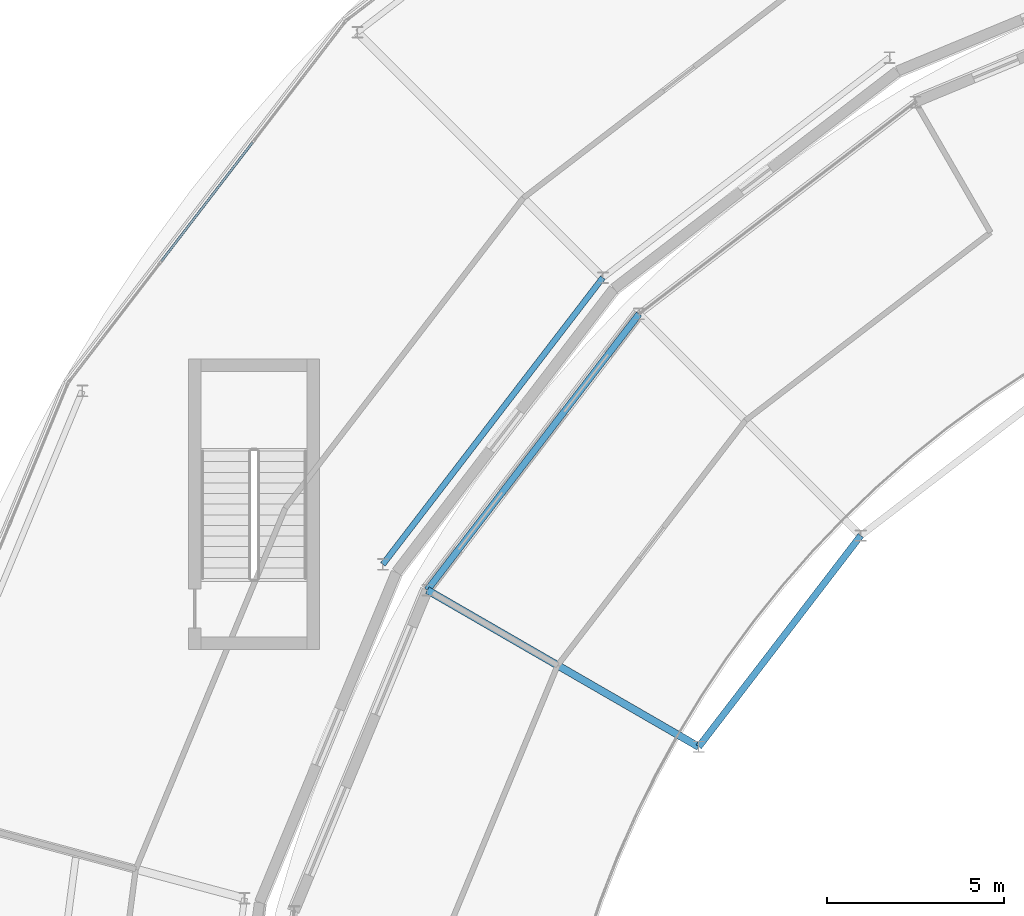
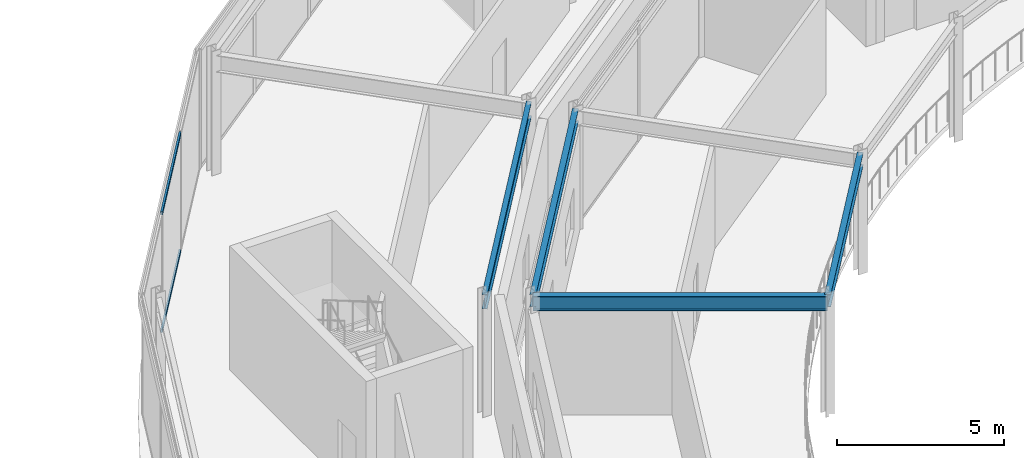
# One storey, part 52 of 133: 4 beams, 2 members, 1 element without a shape of its own.
"""IFC4 building model written with IfcOpenShell, lengths in metres."""

from ifc_helpers import new_model, si_unit, direction, frame, origin, origin_2d, place, context, subcontext, project, spatial, hollow_rectangle, i_section, extrude, material, material_profile, profile_set, type_object, element, aggregate, save


model = new_model("IFC4")

# Units and contexts
model_context = context("Model", 3, precision=1e-05, world=origin(), true_north=direction((0.0, 1.0)))
body_context = subcontext(model_context, "Body", "Model", "MODEL_VIEW")
ifc_project = project(units=[si_unit("LENGTHUNIT", "METRE"), si_unit("AREAUNIT", "SQUARE_METRE"), si_unit("VOLUMEUNIT", "CUBIC_METRE"), si_unit("PLANEANGLEUNIT", "RADIAN"), si_unit("MASSUNIT", "GRAM", prefix="KILO")], contexts=[model_context])

# Site, building, storey
site_placement = place(None, origin())
site = spatial("IfcSite", under=ifc_project, at=site_placement, CompositionType="ELEMENT")
building_placement = place(site_placement, origin())
building = spatial("IfcBuilding", under=site, at=building_placement, Name="Almandine Court Research Institute", CompositionType="ELEMENT")
storey_placement = place(building_placement, frame((0.0, 0.0, 9.800048828125)))
storey = spatial("IfcBuildingStorey", under=building, at=storey_placement, Name="L02", CompositionType="ELEMENT", Elevation=9.800048828125)

# Beams
ifc_material_1 = material(Name="Steel ASTM A992 Grade 50", Category="steel")
ifc_material_profile_1 = material_profile(ifc_material_1, i_section(OverallWidth=0.18994140625, OverallDepth=0.45703125, WebThickness=0.009033203125, FlangeThickness=0.014892578125, at=origin_2d()), Name="W460x74")
ifc_profile_set_1 = profile_set([ifc_material_profile_1], Name="Steel ASTM A992 Grade 50")
beam_type_1 = type_object("IfcBeamType", Name="Beam-B-01", PredefinedType="BEAM", material=ifc_profile_set_1)
beam_1_placement = place(storey_placement, frame((60.376953125, 82.623046875, 4.140869140625), z_axis=(-0.608711534396, -0.793391623282, 0.0), x_axis=(0.793391623282, -0.608711534396, 0.0)))
element("IfcBeam", 1, at=beam_1_placement, inside=storey, type_object=beam_type_1, Name="L02 Atrium Outer Ring Beam", PredefinedType="BEAM", context=body_context, shape_type="SweptSolid", body=[
    extrude(i_section(OverallWidth=0.18994140625, OverallDepth=0.45703125, WebThickness=0.009033203125, FlangeThickness=0.014892578125, at=origin_2d()), origin(), (0.0, 0.0, 1.0), 9.828857421875),
])
beam_2_placement = place(storey_placement, frame((66.635009765625, 76.364990234375, 4.140869140625), z_axis=(-0.608738941187, -0.793370595297, 0.0), x_axis=(0.793370595297, -0.608738941187, 0.0)))
element("IfcBeam", 2, at=beam_2_placement, inside=storey, type_object=beam_type_1, Name="L02 Atrium Gallery Edge Beam", PredefinedType="BEAM", context=body_context, shape_type="SweptSolid", body=[
    extrude(i_section(OverallWidth=0.18994140625, OverallDepth=0.45703125, WebThickness=0.009033203125, FlangeThickness=0.014892578125, at=origin_2d()), origin(), (0.0, 0.0, 1.0), 7.5185546875),
])
ifc_material_profile_2 = material_profile(ifc_material_1, i_section(OverallWidth=0.2109375, OverallDepth=0.5390625, WebThickness=0.011962890625, FlangeThickness=0.01904296875, at=origin_2d()), Name="W530x109")
ifc_profile_set_2 = profile_set([ifc_material_profile_2], Name="Steel ASTM A992 Grade 50")
beam_type_2 = type_object("IfcBeamType", Name="Beam-G-04", PredefinedType="BEAM", material=ifc_profile_set_2)
beam_3_placement = place(storey_placement, frame((62.05810546875, 70.39990234375, 4.099853515625), z_axis=(-0.866015604063, 0.50001697323, 0.0), x_axis=(-0.50001697323, -0.866015604063, 0.0)))
element("IfcBeam", 3, at=beam_3_placement, inside=storey, type_object=beam_type_2, Name="L02 Atrium Gallery Radial Girder", PredefinedType="BEAM", context=body_context, shape_type="SweptSolid", body=[
    extrude(i_section(OverallWidth=0.2109375, OverallDepth=0.5390625, WebThickness=0.011962890625, FlangeThickness=0.01904296875, at=origin_2d()), origin(), (0.0, 0.0, 1.0), 8.849853515625),
])
ifc_material_profile_3 = material_profile(ifc_material_1, i_section(OverallWidth=0.166015625, OverallDepth=0.534912109375, WebThickness=0.010009765625, FlangeThickness=0.01708984375, at=origin_2d()), Name="W530x85")
ifc_profile_set_3 = profile_set([ifc_material_profile_3], Name="Steel ASTM A992 Grade 50")
beam_type_3 = type_object("IfcBeamType", Name="Beam-G-05-E", PredefinedType="SPANDREL", material=ifc_profile_set_3)
beam_4_placement = place(storey_placement, frame((59.35205078125, 83.64794921875, 4.10205078125), z_axis=(-0.608784478787, -0.793335653042, 0.0), x_axis=(0.793335653042, -0.608784478787, 0.0)))
element("IfcBeam", 4, at=beam_4_placement, inside=storey, type_object=beam_type_3, Name="L02 Drum IN Ring Beam 09", PredefinedType="SPANDREL", context=body_context, shape_type="SweptSolid", body=[
    extrude(i_section(OverallWidth=0.166015625, OverallDepth=0.534912109375, WebThickness=0.010009765625, FlangeThickness=0.01708984375, at=origin_2d()), origin(), (0.0, 0.0, 1.0), 10.20751953125),
])

# Curtain wall, members
ifc_material_2 = material(Name="Unitised Curtain Wall Framing and Solar Glazing", Category="glass")
curtain_wall_type = type_object("IfcCurtainWallType", Name="CW-CWJ-19", PredefinedType="USERDEFINED", material=ifc_material_2)
curtain_wall_placement = place(storey_placement, origin())
curtain_wall = element("IfcCurtainWall", 5, at=curtain_wall_placement, inside=storey, type_object=curtain_wall_type, Name="L02 Stacked-Ring Drum Outer Solar Jali Screen 09", ObjectType="SOLAR JALI SCREEN", PredefinedType="USERDEFINED")
ifc_material_3 = material(Name="Anodised Aluminium AW-6063-T6", Category="aluminium")
ifc_material_profile_4 = material_profile(ifc_material_3, hollow_rectangle(XDim=0.06494140625, YDim=0.1298828125, WallThickness=0.00390625, at=origin_2d()), Name="ALU RHS 65x130x4")
ifc_profile_set_4 = profile_set([ifc_material_profile_4], Name="Anodised Aluminium AW-6063-T6")
member_type = type_object("IfcMemberType", Name="CWTrn-65x130", PredefinedType="NOTDEFINED", material=ifc_profile_set_4)
member_1_placement = place(storey_placement, frame((46.8876953125, 84.114501953125, 0.032470703125), z_axis=(0.608741867566, 0.793368349931, 0.0), x_axis=(-0.793368349931, 0.608741867566, 0.0)))
member_1 = element("IfcMember", 6, at=member_1_placement, type_object=member_type, Name="CWJ-19 transom 2.1", ObjectType="TRANSOM", PredefinedType="USERDEFINED", context=body_context, shape_type="SweptSolid", body=[
    extrude(hollow_rectangle(XDim=0.06494140625, YDim=0.1298828125, WallThickness=0.00390625, at=origin_2d()), origin(), (0.0, 0.0, 1.0), 4.2275390625),
])
member_2_placement = place(storey_placement, frame((46.8876953125, 84.114501953125, 4.33740234375), z_axis=(0.608741867566, 0.793368349931, 0.0), x_axis=(-0.793368349931, 0.608741867566, 0.0)))
member_2 = element("IfcMember", 7, at=member_2_placement, type_object=member_type, Name="CWJ-19 transom 2.2", ObjectType="TRANSOM", PredefinedType="USERDEFINED", context=body_context, shape_type="SweptSolid", body=[
    extrude(hollow_rectangle(XDim=0.06494140625, YDim=0.1298828125, WallThickness=0.00390625, at=origin_2d()), origin(), (0.0, 0.0, 1.0), 4.2275390625),
])
aggregate(curtain_wall, [member_1, member_2])

save(model, "model.ifc")
